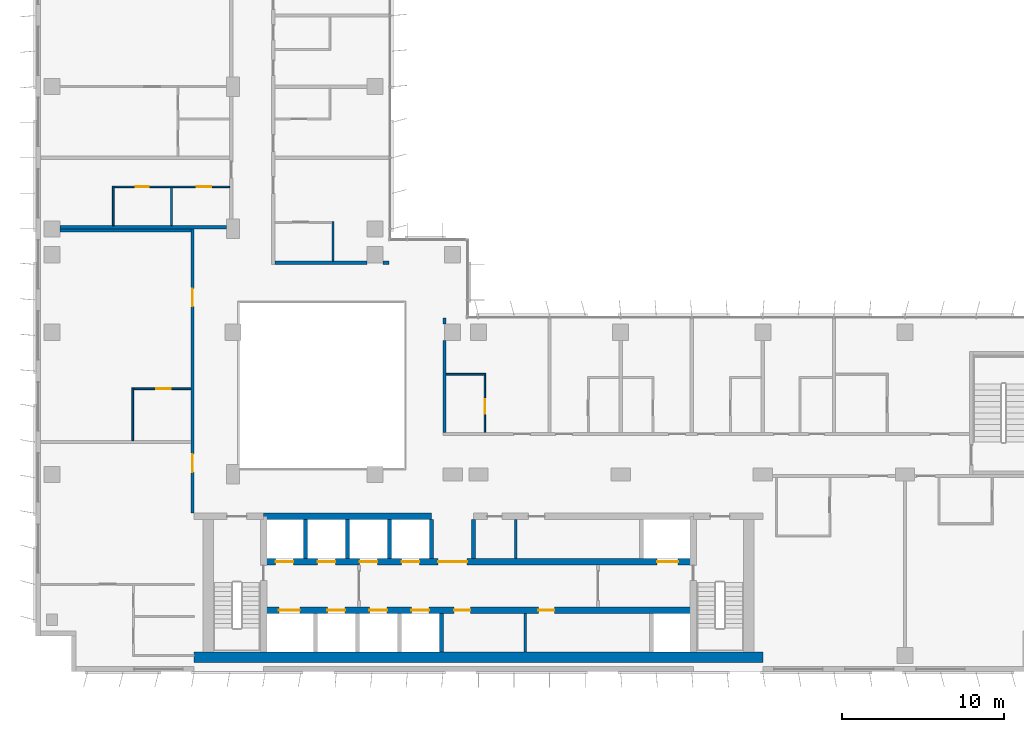
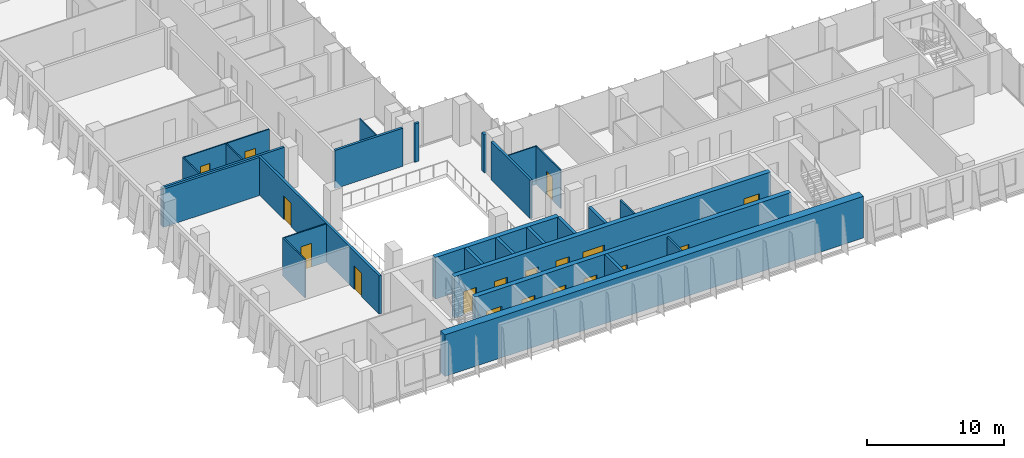
# One storey, part 13 of 21: 27 walls, 18 doors, 18 openings.
"""IFC4 building model written with IfcOpenShell, lengths in metres."""

import ifcopenshell
import ifcopenshell.guid

model = None  # the IFC model being written
_history = None  # IfcOwnerHistory: only IFC2X3 demands one
_inside = {}  # id of a spatial element -> (the spatial element, [elements in it])
_under = {}  # id of a project, library or spatial element -> (it, [spatial elements below it])
_declared = {}  # id of a project -> (the project, [libraries it declares])
_typed = {}  # id of a type object -> (the type object, [elements of that type])
_made_of = {}  # id of a material, layer set ... -> (it, [elements and type objects made of it])


def new_model(schema):
    """Start an empty IFC model of exactly this schema.

    Asked for "IFC4X3", IfcOpenShell would pick the latest addendum, in which some entities
    have other attributes; the version numbers below select the first issue.
    IFC2X3 requires an IfcOwnerHistory on every rooted entity: one is made here for all.
    """
    global model, _history
    if schema == "IFC4X3":
        model = ifcopenshell.file(schema_version=(4, 3, 0, 0))
    else:
        model = ifcopenshell.file(schema=schema)
    _inside.clear()
    _under.clear()
    _declared.clear()
    _typed.clear()
    _made_of.clear()
    _history = None
    if model.schema == "IFC2X3":
        org = make("IfcOrganization", Name="unknown")
        user = make(
            "IfcPersonAndOrganization",
            ThePerson=make("IfcPerson", FamilyName="unknown"),
            TheOrganization=org,
        )
        app = make(
            "IfcApplication",
            ApplicationDeveloper=org,
            Version="unknown",
            ApplicationFullName="unknown",
            ApplicationIdentifier="unknown",
        )
        _history = make(
            "IfcOwnerHistory",
            OwningUser=user,
            OwningApplication=app,
            ChangeAction="ADDED",
            CreationDate=0,
        )
    return model


def make(cls, **values):
    """One entity of the class cls with the attributes given. An attribute that is None is left unset."""
    return model.create_entity(
        cls, **{name: value for name, value in values.items() if value is not None}
    )


def rooted(cls, **values):
    """An entity with a GlobalId (a new one), such as an element, a storey or a relation."""
    return make(cls, GlobalId=ifcopenshell.guid.new(), OwnerHistory=_history, **values)


def si_unit(unit_type, name, prefix=None):
    """IfcSIUnit, for example si_unit("LENGTHUNIT", "METRE", prefix="MILLI")."""
    return make("IfcSIUnit", UnitType=unit_type, Prefix=prefix, Name=name)


def assignment(units):
    """IfcUnitAssignment: the units of a project."""
    return None if units is None else make("IfcUnitAssignment", Units=units)


def point(xyz):
    """IfcCartesianPoint."""
    return None if xyz is None else make("IfcCartesianPoint", Coordinates=xyz)


def direction(xyz):
    """IfcDirection."""
    return None if xyz is None else make("IfcDirection", DirectionRatios=xyz)


def frame(location, z_axis=None, x_axis=None):
    """IfcAxis2Placement3D, a coordinate frame: its origin and axes. An axis left out is left unset."""
    return make(
        "IfcAxis2Placement3D",
        Location=point(location),
        Axis=direction(z_axis),
        RefDirection=direction(x_axis),
    )


def frame_2d(location, x_axis=None):
    """IfcAxis2Placement2D, a coordinate frame in the plane: its origin and x axis."""
    return make(
        "IfcAxis2Placement2D", Location=point(location), RefDirection=direction(x_axis)
    )


def origin():
    """The frame at (0, 0, 0) with its axes left unset."""
    return frame((0.0, 0.0, 0.0))


def place(relative_to, where):
    """IfcLocalPlacement: puts the frame where relative to a parent placement (None: the world)."""
    return make(
        "IfcLocalPlacement", PlacementRelTo=relative_to, RelativePlacement=where
    )


def context(
    kind, dimensions, precision=None, world=None, true_north=None, identifier=None
):
    """IfcGeometricRepresentationContext, for example the 3D "Model" context."""
    return make(
        "IfcGeometricRepresentationContext",
        ContextIdentifier=identifier,
        ContextType=kind,
        CoordinateSpaceDimension=dimensions,
        Precision=precision,
        WorldCoordinateSystem=world,
        TrueNorth=true_north,
    )


def subcontext(parent, identifier, kind, view, scale=None):
    """IfcGeometricRepresentationSubContext, for example "Body" below "Model"."""
    return make(
        "IfcGeometricRepresentationSubContext",
        ContextIdentifier=identifier,
        ContextType=kind,
        ParentContext=parent,
        TargetScale=scale,
        TargetView=view,
    )


def project(units=None, contexts=None):
    """IfcProject with its units and contexts."""
    return rooted(
        "IfcProject",
        Name="project",
        RepresentationContexts=contexts,
        UnitsInContext=assignment(units),
    )


def spatial(cls, under=None, at=None, **own):
    """A site, building, storey or space (cls), placed at a placement, below another one or the project."""
    s = rooted(cls, ObjectPlacement=at, **own)
    if under is not None:
        _under.setdefault(under.id(), (under, []))[1].append(s)
    return s


def profile(cls, at=None, kind="AREA", **sizes):
    """A parametric profile (cls). Its sizes go by their IFC names, for example OverallWidth=200.0."""
    return make(cls, ProfileType=kind, Position=at, **sizes)


def rectangle(**sizes):
    """IfcRectangleProfileDef."""
    return profile("IfcRectangleProfileDef", **sizes)


def extrude(swept, where, along, depth):
    """IfcExtrudedAreaSolid: the profile swept, set in the frame where, extruded along a direction by depth."""
    return make(
        "IfcExtrudedAreaSolid",
        SweptArea=swept,
        Position=where,
        ExtrudedDirection=direction(along),
        Depth=depth,
    )


def shape(context_of_items, identifier, shape_type, items):
    """IfcShapeRepresentation: the items that make up one representation, for example the "Body"."""
    return make(
        "IfcShapeRepresentation",
        ContextOfItems=context_of_items,
        RepresentationIdentifier=identifier,
        RepresentationType=shape_type,
        Items=items,
    )


def material(Name=None, Category=None):
    """IfcMaterial."""
    return make("IfcMaterial", Name=Name, Category=Category)


def layer(
    of_material, thickness, ventilated=None, Name=None, Category=None, Priority=None
):
    """IfcMaterialLayer: one layer of a wall or slab, of a material (None: an air gap)."""
    return make(
        "IfcMaterialLayer",
        Material=of_material,
        LayerThickness=thickness,
        IsVentilated=ventilated,
        Name=Name,
        Category=Category,
        Priority=Priority,
    )


def layer_set(layers, Name=None):
    """IfcMaterialLayerSet."""
    return make("IfcMaterialLayerSet", MaterialLayers=layers, LayerSetName=Name)


def made_of(thing, what):
    """Note that an element or type object is made of a material, layer set ...; save() writes the relation."""
    if what is not None:
        _made_of.setdefault(what.id(), (what, []))[1].append(thing)
    return thing


def type_object(cls, material=None, **own):
    """A type object (cls), such as IfcWallType, which elements share."""
    return made_of(rooted(cls, **own), material)


def element(
    cls,
    number,
    at=None,
    inside=None,
    cuts=None,
    type_object=None,
    material=None,
    context=None,
    identifier="Body",
    shape_type=None,
    held_by="IfcProductDefinitionShape",
    body=None,
    shapes=None,
    **own,
):
    """One element of the class cls, such as IfcWall. Its Tag is "e" and its number.

    at: its placement. inside: the storey or other place that contains it. cuts: it is an
    opening in that element (IfcRelVoidsElement). A single representation is given by context,
    identifier, shape_type and body (its items); several are given by shapes. held_by: the class
    of the entity that holds the representations. save() writes the other relations.
    """
    e = rooted(cls, Tag="e%d" % number, ObjectPlacement=at, **own)
    if body is not None:
        shapes = [shape(context, identifier, shape_type, body)]
    if shapes is not None:
        e.Representation = make(held_by, Representations=shapes)
    if inside is not None:
        _inside.setdefault(inside.id(), (inside, []))[1].append(e)
    if cuts is not None:
        rooted(
            "IfcRelVoidsElement", RelatingBuildingElement=cuts, RelatedOpeningElement=e
        )
    if type_object is not None:
        _typed.setdefault(type_object.id(), (type_object, []))[1].append(e)
    return made_of(e, material)


def fill(opening, filler):
    """IfcRelFillsElement: the door or window that sits in an opening."""
    return rooted(
        "IfcRelFillsElement",
        RelatingOpeningElement=opening,
        RelatedBuildingElement=filler,
    )


def aggregate(whole, parts):
    """IfcRelAggregates: a whole, such as a stair, and the parts it consists of."""
    return rooted("IfcRelAggregates", RelatingObject=whole, RelatedObjects=parts)


def save(model, path):
    """Write the relations noted so far, then the file.

    IfcRelAggregates (storeys below a building ...), IfcRelContainedInSpatialStructure (elements
    in a storey), IfcRelDefinesByType, IfcRelAssociatesMaterial and IfcRelDeclares: one each for
    every whole, place, type object, material and project.
    """
    for whole, parts in _under.values():
        aggregate(whole, parts)
    for where, things in _inside.values():
        rooted(
            "IfcRelContainedInSpatialStructure",
            RelatedElements=things,
            RelatingStructure=where,
        )
    for kind, things in _typed.values():
        rooted("IfcRelDefinesByType", RelatedObjects=things, RelatingType=kind)
    for what, things in _made_of.values():
        rooted("IfcRelAssociatesMaterial", RelatedObjects=things, RelatingMaterial=what)
    for by, libraries in _declared.values():
        rooted("IfcRelDeclares", RelatingContext=by, RelatedDefinitions=libraries)
    model.write(path)


model = new_model("IFC4")

# Units and contexts
model_context = context("Model", 3, precision=1e-05, world=origin(), true_north=direction((0.0, 1.0)))
body_context = subcontext(model_context, "Body", "Model", "MODEL_VIEW")
ifc_project = project(units=[si_unit("LENGTHUNIT", "METRE"), si_unit("AREAUNIT", "SQUARE_METRE"), si_unit("VOLUMEUNIT", "CUBIC_METRE"), si_unit("PLANEANGLEUNIT", "RADIAN"), si_unit("MASSUNIT", "GRAM", prefix="KILO")], contexts=[model_context])

# Site, building, storey
site_placement = place(None, origin())
site = spatial("IfcSite", under=ifc_project, at=site_placement, CompositionType="ELEMENT")
building_placement = place(site_placement, origin())
building = spatial("IfcBuilding", under=site, at=building_placement, Name="Kemantara Hotel Tower", CompositionType="ELEMENT")
storey_placement = place(building_placement, frame((0.0, 0.0, 167.89990234375)))
storey = spatial("IfcBuildingStorey", under=building, at=storey_placement, Name="L41", CompositionType="ELEMENT", Elevation=167.89990234375)

# Walls
ifc_material_1 = material(Name="Concrete fc 60 MPa", Category="concrete")
ifc_layer_1 = layer(ifc_material_1, 0.25)
ifc_layer_set_1 = layer_set([ifc_layer_1], Name="Concrete fc 60 MPa")
wall_type_1 = type_object("IfcWallType", Name="CORE WALL 250 FC60", PredefinedType="SHEAR", material=ifc_layer_set_1)
wall_1_placement = place(storey_placement, frame((25.10009765625, 1.199951171875, 0.0), z_axis=(0.0, 0.0, 1.0), x_axis=(0.0, 1.0, 0.0)))
element("IfcWall", 1, at=wall_1_placement, inside=storey, type_object=wall_type_1, Name="CORE WALL CW-DS25.1", PredefinedType="SHEAR", context=body_context, shape_type="SweptSolid", body=[
    extrude(rectangle(XDim=2.400146484375, YDim=0.25, at=frame_2d((1.2001953125, 0.0))), origin(), (0.0, 0.0, 1.0), 3.7001953125),
])
for number, where, z_axis, x_axis, name in (
    (2, (16.699951171875, 7.0, 0.0), (0.0, 0.0, 1.0), (0.0, 1.0, 0.0), "CORE WALL CW-DN16.7"),
    (3, (19.300048828125, 7.0, 0.0), (0.0, 0.0, 1.0), (0.0, 1.0, 0.0), "CORE WALL CW-DN19.3"),
    (4, (21.89990234375, 7.0, 0.0), (0.0, 0.0, 1.0), (0.0, 1.0, 0.0), "CORE WALL CW-DN21.9"),
    (5, (24.5, 7.0, 0.0), (0.0, 0.0, 1.0), (0.0, 1.0, 0.0), "CORE WALL CW-DN24.5"),
    (6, (27.10009765625, 7.0, 0.0), (0.0, 0.0, 1.0), (0.0, 1.0, 0.0), "CORE WALL CW-DN27.1"),
):
    element("IfcWall", number, at=place(storey_placement, frame(where, z_axis=z_axis, x_axis=x_axis)), inside=storey, type_object=wall_type_1, Name=name, PredefinedType="SHEAR", context=body_context, shape_type="SweptSolid", body=[
        extrude(rectangle(XDim=2.39990234375, YDim=0.25, at=frame_2d((1.199951171875, 0.0))), origin(), (0.0, 0.0, 1.0), 3.7001953125),
    ])
ifc_layer_2 = layer(ifc_material_1, 0.39990234375)
ifc_layer_set_2 = layer_set([ifc_layer_2], Name="Concrete fc 60 MPa")
wall_type_2 = type_object("IfcWallType", Name="CORE WALL 400 FC60", PredefinedType="SHEAR", material=ifc_layer_set_2)
wall_2_placement = place(storey_placement, frame((14.10009765625, 9.60009765625, 0.0), z_axis=(0.0, 0.0, 1.0), x_axis=(1.0, 0.0, 0.0)))
element("IfcWall", 7, at=wall_2_placement, inside=storey, type_object=wall_type_2, Name="CORE WALL CW-NN1", PredefinedType="SHEAR", context=body_context, shape_type="SweptSolid", body=[
    extrude(rectangle(XDim=10.39990234375, YDim=0.39990234375, at=frame_2d((5.199951171875, 0.0))), origin(), (0.0, 0.0, 1.0), 3.7001953125),
])

# Wall, openings, doors
wall_3_placement = place(storey_placement, frame((14.10009765625, 3.800048828125, 0.0), z_axis=(0.0, 0.0, 1.0), x_axis=(1.0, 0.0, 0.0)))
wall_3 = element("IfcWall", 8, at=wall_3_placement, inside=storey, type_object=wall_type_2, Name="CORE WALL CW-L1", PredefinedType="SHEAR", context=body_context, shape_type="SweptSolid", body=[
    extrude(rectangle(XDim=26.599853515625, YDim=0.39990234375, at=frame_2d((13.2998046875, 0.0))), origin(), (0.0, 0.0, 1.0), 3.7001953125),
])
opening_1_placement = place(wall_3_placement, frame((0.949951171875, 0.0, 0.0)))
opening_1 = element("IfcOpeningElement", 9, at=opening_1_placement, cuts=wall_3, Name="Opening C26-LD-FF1", PredefinedType="OPENING", context=body_context, shape_type="SweptSolid", body=[
    extrude(rectangle(XDim=1.300048828125, YDim=2.10009765625, at=frame_2d((0.64990234375, 1.050048828125))), frame((0.0, 0.2099609375, 0.0), z_axis=(0.0, -1.0, 0.0), x_axis=(1.0, 0.0, 0.0)), (0.0, 0.0, 1.0), 0.419921875),
])
opening_2_placement = place(wall_3_placement, frame((3.949951171875, 0.0, 0.0)))
opening_2 = element("IfcOpeningElement", 10, at=opening_2_placement, cuts=wall_3, Name="Opening C26-LD-SV1", PredefinedType="OPENING", context=body_context, shape_type="SweptSolid", body=[
    extrude(rectangle(XDim=1.10009765625, YDim=2.10009765625, at=frame_2d((0.550048828125, 1.050048828125))), frame((0.0, 0.2099609375, 0.0), z_axis=(0.0, -1.0, 0.0), x_axis=(1.0, 0.0, 0.0)), (0.0, 0.0, 1.0), 0.419921875),
])
opening_3_placement = place(wall_3_placement, frame((6.550048828125, 0.0, 0.0)))
opening_3 = element("IfcOpeningElement", 11, at=opening_3_placement, cuts=wall_3, Name="Opening C26-LD-SV2", PredefinedType="OPENING", context=body_context, shape_type="SweptSolid", body=[
    extrude(rectangle(XDim=1.10009765625, YDim=2.10009765625, at=frame_2d((0.550048828125, 1.050048828125))), frame((0.0, 0.2099609375, 0.0), z_axis=(0.0, -1.0, 0.0), x_axis=(1.0, 0.0, 0.0)), (0.0, 0.0, 1.0), 0.419921875),
])
opening_4_placement = place(wall_3_placement, frame((9.14990234375, 0.0, 0.0)))
opening_4 = element("IfcOpeningElement", 12, at=opening_4_placement, cuts=wall_3, Name="Opening C26-LD-SV3", PredefinedType="OPENING", context=body_context, shape_type="SweptSolid", body=[
    extrude(rectangle(XDim=1.10009765625, YDim=2.10009765625, at=frame_2d((0.550048828125, 1.050048828125))), frame((0.0, 0.2099609375, 0.0), z_axis=(0.0, -1.0, 0.0), x_axis=(1.0, 0.0, 0.0)), (0.0, 0.0, 1.0), 0.419921875),
])
opening_5_placement = place(wall_3_placement, frame((11.800048828125, 0.0, 0.0)))
opening_5 = element("IfcOpeningElement", 13, at=opening_5_placement, cuts=wall_3, Name="Opening C26-R-SM1", PredefinedType="OPENING", context=body_context, shape_type="SweptSolid", body=[
    extrude(rectangle(XDim=1.0, YDim=2.10009765625, at=frame_2d((0.5, 1.050048828125))), frame((0.0, 0.2099609375, 0.0), z_axis=(0.0, -1.0, 0.0), x_axis=(1.0, 0.0, 0.0)), (0.0, 0.0, 1.0), 0.419921875),
])
opening_6_placement = place(wall_3_placement, frame((17.0, 0.0, 0.0)))
opening_6 = element("IfcOpeningElement", 14, at=opening_6_placement, cuts=wall_3, Name="Opening C26-R-SM2", PredefinedType="OPENING", context=body_context, shape_type="SweptSolid", body=[
    extrude(rectangle(XDim=1.0, YDim=2.10009765625, at=frame_2d((0.5, 1.050048828125))), frame((0.0, 0.2099609375, 0.0), z_axis=(0.0, -1.0, 0.0), x_axis=(1.0, 0.0, 0.0)), (0.0, 0.0, 1.0), 0.419921875),
])
ifc_material_2 = material(Name="Steel fire door", Category="steel")
door_type_1 = type_object("IfcDoorType", Name="Fire door FD30S 1000 x 2100", OperationType="NOTDEFINED", PredefinedType="DOOR", material=ifc_material_2)
door_1_placement = place(opening_5_placement, frame((1.0, 0.0, 0.0), z_axis=(0.0, 0.0, 1.0), x_axis=(-1.0, 0.0, 0.0)))
door_1 = element("IfcDoor", 15, at=door_1_placement, inside=storey, type_object=door_type_1, Name="Staff Lounge door", OperationType="SINGLE_SWING_RIGHT", OverallHeight=2.10009765625, OverallWidth=1.0, PredefinedType="DOOR", context=body_context, shape_type="SweptSolid", body=[
    extrude(rectangle(XDim=1.0, YDim=2.10009765625, at=frame_2d((0.5, 1.050048828125))), frame((0.0, 0.02490234375, 0.0), z_axis=(0.0, -1.0, 0.0), x_axis=(1.0, 0.0, 0.0)), (0.0, 0.0, 1.0), 0.050048828125),
])
fill(opening_5, door_1)
door_2_placement = place(opening_6_placement, frame((1.0, 0.0, 0.0), z_axis=(0.0, 0.0, 1.0), x_axis=(-1.0, 0.0, 0.0)))
door_2 = element("IfcDoor", 16, at=door_2_placement, inside=storey, type_object=door_type_1, Name="Guest Pantry door", OperationType="SINGLE_SWING_LEFT", OverallHeight=2.10009765625, OverallWidth=1.0, PredefinedType="DOOR", context=body_context, shape_type="SweptSolid", body=[
    extrude(rectangle(XDim=1.0, YDim=2.10009765625, at=frame_2d((0.5, 1.050048828125))), frame((0.0, 0.02490234375, 0.0), z_axis=(0.0, -1.0, 0.0), x_axis=(1.0, 0.0, 0.0)), (0.0, 0.0, 1.0), 0.050048828125),
])
fill(opening_6, door_2)
ifc_material_3 = material(Name="Stainless steel lift door", Category="steel")
door_type_2 = type_object("IfcDoorType", Name="Lift landing door 1100 x 2100 FD60", OperationType="DOUBLE_DOOR_SLIDING", PredefinedType="DOOR", material=ifc_material_3)
door_3_placement = place(opening_2_placement, origin())
door_3 = element("IfcDoor", 17, at=door_3_placement, inside=storey, type_object=door_type_2, Name="Lift SV1 landing door", OperationType="DOUBLE_DOOR_SLIDING", OverallHeight=2.10009765625, OverallWidth=1.10009765625, PredefinedType="DOOR", context=body_context, shape_type="SweptSolid", body=[
    extrude(rectangle(XDim=1.10009765625, YDim=2.10009765625, at=frame_2d((0.550048828125, 1.050048828125))), frame((0.0, 0.02490234375, 0.0), z_axis=(0.0, -1.0, 0.0), x_axis=(1.0, 0.0, 0.0)), (0.0, 0.0, 1.0), 0.050048828125),
])
fill(opening_2, door_3)
door_4_placement = place(opening_3_placement, origin())
door_4 = element("IfcDoor", 18, at=door_4_placement, inside=storey, type_object=door_type_2, Name="Lift SV2 landing door", OperationType="DOUBLE_DOOR_SLIDING", OverallHeight=2.10009765625, OverallWidth=1.10009765625, PredefinedType="DOOR", context=body_context, shape_type="SweptSolid", body=[
    extrude(rectangle(XDim=1.10009765625, YDim=2.10009765625, at=frame_2d((0.550048828125, 1.050048828125))), frame((0.0, 0.02490234375, 0.0), z_axis=(0.0, -1.0, 0.0), x_axis=(1.0, 0.0, 0.0)), (0.0, 0.0, 1.0), 0.050048828125),
])
fill(opening_3, door_4)
door_5_placement = place(opening_4_placement, origin())
door_5 = element("IfcDoor", 19, at=door_5_placement, inside=storey, type_object=door_type_2, Name="Lift SV3 landing door", OperationType="DOUBLE_DOOR_SLIDING", OverallHeight=2.10009765625, OverallWidth=1.10009765625, PredefinedType="DOOR", context=body_context, shape_type="SweptSolid", body=[
    extrude(rectangle(XDim=1.10009765625, YDim=2.10009765625, at=frame_2d((0.550048828125, 1.050048828125))), frame((0.0, 0.02490234375, 0.0), z_axis=(0.0, -1.0, 0.0), x_axis=(1.0, 0.0, 0.0)), (0.0, 0.0, 1.0), 0.050048828125),
])
fill(opening_4, door_5)
door_type_3 = type_object("IfcDoorType", Name="Lift landing door 1300 x 2100 FD90", OperationType="DOUBLE_DOOR_SLIDING", PredefinedType="DOOR", material=ifc_material_3)
door_6_placement = place(opening_1_placement, origin())
door_6 = element("IfcDoor", 20, at=door_6_placement, inside=storey, type_object=door_type_3, Name="Lift FF1 landing door", OperationType="DOUBLE_DOOR_SLIDING", OverallHeight=2.10009765625, OverallWidth=1.300048828125, PredefinedType="DOOR", context=body_context, shape_type="SweptSolid", body=[
    extrude(rectangle(XDim=1.300048828125, YDim=2.10009765625, at=frame_2d((0.64990234375, 1.050048828125))), frame((0.0, 0.02490234375, 0.0), z_axis=(0.0, -1.0, 0.0), x_axis=(1.0, 0.0, 0.0)), (0.0, 0.0, 1.0), 0.050048828125),
])
fill(opening_1, door_6)

wall_4_placement = place(storey_placement, frame((14.10009765625, 6.800048828125, 0.0), z_axis=(0.0, 0.0, 1.0), x_axis=(1.0, 0.0, 0.0)))
wall_4 = element("IfcWall", 21, at=wall_4_placement, inside=storey, type_object=wall_type_2, Name="CORE WALL CW-L2", PredefinedType="SHEAR", context=body_context, shape_type="SweptSolid", body=[
    extrude(rectangle(XDim=26.599853515625, YDim=0.39990234375, at=frame_2d((13.2998046875, 0.0))), origin(), (0.0, 0.0, 1.0), 3.7001953125),
])
opening_7_placement = place(wall_4_placement, frame((10.800048828125, 0.0, 0.0)))
opening_7 = element("IfcOpeningElement", 22, at=opening_7_placement, cuts=wall_4, Name="Opening C26-VL", PredefinedType="OPENING", context=body_context, shape_type="SweptSolid", body=[
    extrude(rectangle(XDim=1.800048828125, YDim=2.10009765625, at=frame_2d((0.89990234375, 1.050048828125))), frame((0.0, 0.2099609375, 0.0), z_axis=(0.0, -1.0, 0.0), x_axis=(1.0, 0.0, 0.0)), (0.0, 0.0, 1.0), 0.419921875),
])
opening_8_placement = place(wall_4_placement, frame((0.75, 0.0, 0.0)))
opening_8 = element("IfcOpeningElement", 23, at=opening_8_placement, cuts=wall_4, Name="Opening C26-LD-MR1", PredefinedType="OPENING", context=body_context, shape_type="SweptSolid", body=[
    extrude(rectangle(XDim=1.10009765625, YDim=2.10009765625, at=frame_2d((0.550048828125, 1.050048828125))), frame((0.0, 0.2099609375, 0.0), z_axis=(0.0, -1.0, 0.0), x_axis=(1.0, 0.0, 0.0)), (0.0, 0.0, 1.0), 0.419921875),
])
opening_9_placement = place(wall_4_placement, frame((3.35009765625, 0.0, 0.0)))
opening_9 = element("IfcOpeningElement", 24, at=opening_9_placement, cuts=wall_4, Name="Opening C26-LD-MR2", PredefinedType="OPENING", context=body_context, shape_type="SweptSolid", body=[
    extrude(rectangle(XDim=1.10009765625, YDim=2.10009765625, at=frame_2d((0.550048828125, 1.050048828125))), frame((0.0, 0.2099609375, 0.0), z_axis=(0.0, -1.0, 0.0), x_axis=(1.0, 0.0, 0.0)), (0.0, 0.0, 1.0), 0.419921875),
])
opening_10_placement = place(wall_4_placement, frame((5.949951171875, 0.0, 0.0)))
opening_10 = element("IfcOpeningElement", 25, at=opening_10_placement, cuts=wall_4, Name="Opening C26-LD-MR3", PredefinedType="OPENING", context=body_context, shape_type="SweptSolid", body=[
    extrude(rectangle(XDim=1.10009765625, YDim=2.10009765625, at=frame_2d((0.550048828125, 1.050048828125))), frame((0.0, 0.2099609375, 0.0), z_axis=(0.0, -1.0, 0.0), x_axis=(1.0, 0.0, 0.0)), (0.0, 0.0, 1.0), 0.419921875),
])
opening_11_placement = place(wall_4_placement, frame((8.550048828125, 0.0, 0.0)))
opening_11 = element("IfcOpeningElement", 26, at=opening_11_placement, cuts=wall_4, Name="Opening C26-LD-MR4", PredefinedType="OPENING", context=body_context, shape_type="SweptSolid", body=[
    extrude(rectangle(XDim=1.10009765625, YDim=2.10009765625, at=frame_2d((0.550048828125, 1.050048828125))), frame((0.0, 0.2099609375, 0.0), z_axis=(0.0, -1.0, 0.0), x_axis=(1.0, 0.0, 0.0)), (0.0, 0.0, 1.0), 0.419921875),
])
opening_12_placement = place(wall_4_placement, frame((24.35009765625, 0.0, 0.0)))
opening_12 = element("IfcOpeningElement", 27, at=opening_12_placement, cuts=wall_4, Name="Opening C26-LD-FF2", PredefinedType="OPENING", context=body_context, shape_type="SweptSolid", body=[
    extrude(rectangle(XDim=1.300048828125, YDim=2.10009765625, at=frame_2d((0.64990234375, 1.050048828125))), frame((0.0, 0.2099609375, 0.0), z_axis=(0.0, -1.0, 0.0), x_axis=(1.0, 0.0, 0.0)), (0.0, 0.0, 1.0), 0.419921875),
])
door_type_4 = type_object("IfcDoorType", Name="Fire door pair FD60 1800 x 2100", OperationType="DOUBLE_DOOR_SINGLE_SWING", PredefinedType="DOOR", material=ifc_material_2)
door_7_placement = place(opening_7_placement, frame((1.800048828125, 0.0, 0.0), z_axis=(0.0, 0.0, 1.0), x_axis=(-1.0, 0.0, 0.0)))
door_7 = element("IfcDoor", 28, at=door_7_placement, inside=storey, type_object=door_type_4, Name="Lift lobby entry door", OperationType="DOUBLE_DOOR_SINGLE_SWING", OverallHeight=2.10009765625, OverallWidth=1.800048828125, PredefinedType="DOOR", context=body_context, shape_type="SweptSolid", body=[
    extrude(rectangle(XDim=1.800048828125, YDim=2.10009765625, at=frame_2d((0.89990234375, 1.050048828125))), frame((0.0, 0.02490234375, 0.0), z_axis=(0.0, -1.0, 0.0), x_axis=(1.0, 0.0, 0.0)), (0.0, 0.0, 1.0), 0.050048828125),
])
fill(opening_7, door_7)
door_8_placement = place(opening_8_placement, origin())
door_8 = element("IfcDoor", 29, at=door_8_placement, inside=storey, type_object=door_type_2, Name="Lift MR1 landing door", OperationType="DOUBLE_DOOR_SLIDING", OverallHeight=2.10009765625, OverallWidth=1.10009765625, PredefinedType="DOOR", context=body_context, shape_type="SweptSolid", body=[
    extrude(rectangle(XDim=1.10009765625, YDim=2.10009765625, at=frame_2d((0.550048828125, 1.050048828125))), frame((0.0, 0.02490234375, 0.0), z_axis=(0.0, -1.0, 0.0), x_axis=(1.0, 0.0, 0.0)), (0.0, 0.0, 1.0), 0.050048828125),
])
fill(opening_8, door_8)
door_9_placement = place(opening_9_placement, origin())
door_9 = element("IfcDoor", 30, at=door_9_placement, inside=storey, type_object=door_type_2, Name="Lift MR2 landing door", OperationType="DOUBLE_DOOR_SLIDING", OverallHeight=2.10009765625, OverallWidth=1.10009765625, PredefinedType="DOOR", context=body_context, shape_type="SweptSolid", body=[
    extrude(rectangle(XDim=1.10009765625, YDim=2.10009765625, at=frame_2d((0.550048828125, 1.050048828125))), frame((0.0, 0.02490234375, 0.0), z_axis=(0.0, -1.0, 0.0), x_axis=(1.0, 0.0, 0.0)), (0.0, 0.0, 1.0), 0.050048828125),
])
fill(opening_9, door_9)
door_10_placement = place(opening_10_placement, origin())
door_10 = element("IfcDoor", 31, at=door_10_placement, inside=storey, type_object=door_type_2, Name="Lift MR3 landing door", OperationType="DOUBLE_DOOR_SLIDING", OverallHeight=2.10009765625, OverallWidth=1.10009765625, PredefinedType="DOOR", context=body_context, shape_type="SweptSolid", body=[
    extrude(rectangle(XDim=1.10009765625, YDim=2.10009765625, at=frame_2d((0.550048828125, 1.050048828125))), frame((0.0, 0.02490234375, 0.0), z_axis=(0.0, -1.0, 0.0), x_axis=(1.0, 0.0, 0.0)), (0.0, 0.0, 1.0), 0.050048828125),
])
fill(opening_10, door_10)
door_11_placement = place(opening_11_placement, origin())
door_11 = element("IfcDoor", 32, at=door_11_placement, inside=storey, type_object=door_type_2, Name="Lift MR4 landing door", OperationType="DOUBLE_DOOR_SLIDING", OverallHeight=2.10009765625, OverallWidth=1.10009765625, PredefinedType="DOOR", context=body_context, shape_type="SweptSolid", body=[
    extrude(rectangle(XDim=1.10009765625, YDim=2.10009765625, at=frame_2d((0.550048828125, 1.050048828125))), frame((0.0, 0.02490234375, 0.0), z_axis=(0.0, -1.0, 0.0), x_axis=(1.0, 0.0, 0.0)), (0.0, 0.0, 1.0), 0.050048828125),
])
fill(opening_11, door_11)
door_12_placement = place(opening_12_placement, origin())
door_12 = element("IfcDoor", 33, at=door_12_placement, inside=storey, type_object=door_type_3, Name="Lift FF2 landing door", OperationType="DOUBLE_DOOR_SLIDING", OverallHeight=2.10009765625, OverallWidth=1.300048828125, PredefinedType="DOOR", context=body_context, shape_type="SweptSolid", body=[
    extrude(rectangle(XDim=1.300048828125, YDim=2.10009765625, at=frame_2d((0.64990234375, 1.050048828125))), frame((0.0, 0.02490234375, 0.0), z_axis=(0.0, -1.0, 0.0), x_axis=(1.0, 0.0, 0.0)), (0.0, 0.0, 1.0), 0.050048828125),
])
fill(opening_12, door_12)

# Wall
ifc_layer_3 = layer(ifc_material_1, 0.64990234375)
ifc_layer_set_3 = layer_set([ifc_layer_3], Name="Concrete fc 60 MPa")
wall_type_3 = type_object("IfcWallType", Name="CORE WALL 650 FC60", PredefinedType="SHEAR", material=ifc_layer_set_3)
wall_5_placement = place(storey_placement, frame((9.800048828125, 0.875, 0.0), z_axis=(0.0, 0.0, 1.0), x_axis=(1.0, 0.0, 0.0)))
element("IfcWall", 34, at=wall_5_placement, inside=storey, type_object=wall_type_3, Name="CORE WALL CW-S", PredefinedType="SHEAR", context=body_context, shape_type="SweptSolid", body=[
    extrude(rectangle(XDim=35.199951171875, YDim=0.64990234375, at=frame_2d((17.60009765625, 0.0))), origin(), (0.0, 0.0, 1.0), 3.7001953125),
])

# Wall, openings, doors
ifc_material_4 = material(Name="Gypsum board partition, steel studs and mineral wool, 200 mm", Category="steel")
ifc_layer_4 = layer(ifc_material_4, 0.199951171875)
ifc_layer_set_4 = layer_set([ifc_layer_4], Name="Gypsum board partition, steel studs and mineral wool, 200 mm")
wall_type_4 = type_object("IfcWallType", Name="CORRIDOR WALL 200", PredefinedType="PARTITIONING", material=ifc_layer_set_4)
wall_6_placement = place(storey_placement, frame((9.699951171875, 9.800048828125, 0.0), z_axis=(0.0, 0.0, 1.0), x_axis=(0.0, 1.0, 0.0)))
wall_6 = element("IfcWall", 35, at=wall_6_placement, inside=storey, type_object=wall_type_4, Name="CORRIDOR WALL 200 013", PredefinedType="PARTITIONING", context=body_context, shape_type="SweptSolid", body=[
    extrude(rectangle(XDim=17.599853515625, YDim=0.199951171875, at=frame_2d((8.7998046875, 0.0))), origin(), (0.0, 0.0, 1.0), 3.400146484375),
])
opening_13_placement = place(wall_6_placement, frame((2.550048828125, 0.0, 0.0)))
opening_13 = element("IfcOpeningElement", 36, at=opening_13_placement, cuts=wall_6, Name="Opening F19-017", PredefinedType="OPENING", context=body_context, shape_type="SweptSolid", body=[
    extrude(rectangle(XDim=1.10009765625, YDim=2.10009765625, at=frame_2d((0.550048828125, 1.050048828125))), frame((0.0, 0.10986328125, 0.0), z_axis=(0.0, -1.0, 0.0), x_axis=(1.0, 0.0, 0.0)), (0.0, 0.0, 1.0), 0.219970703125),
])
opening_14_placement = place(wall_6_placement, frame((12.800048828125, 0.0, 0.0)))
opening_14 = element("IfcOpeningElement", 37, at=opening_14_placement, cuts=wall_6, Name="Opening F19-021", PredefinedType="OPENING", context=body_context, shape_type="SweptSolid", body=[
    extrude(rectangle(XDim=1.10009765625, YDim=2.10009765625, at=frame_2d((0.550048828125, 1.050048828125))), frame((0.0, 0.10986328125, 0.0), z_axis=(0.0, -1.0, 0.0), x_axis=(1.0, 0.0, 0.0)), (0.0, 0.0, 1.0), 0.219970703125),
])
ifc_material_5 = material(Name="Hardwood veneer door leaf with steel frame", Category="steel")
door_type_5 = type_object("IfcDoorType", Name="SUITE ENTRANCE DOOR 1100 X 2100 FD30S", OperationType="NOTDEFINED", PredefinedType="DOOR", material=ifc_material_5)
door_13_placement = place(opening_13_placement, origin())
door_13 = element("IfcDoor", 38, at=door_13_placement, inside=storey, type_object=door_type_5, Name="SUITE ENTRANCE DOOR F19-017", OperationType="SINGLE_SWING_RIGHT", OverallHeight=2.10009765625, OverallWidth=1.10009765625, PredefinedType="DOOR", context=body_context, shape_type="SweptSolid", body=[
    extrude(rectangle(XDim=1.10009765625, YDim=2.10009765625, at=frame_2d((0.550048828125, 1.050048828125))), frame((0.0, 0.02490234375, 0.0), z_axis=(0.0, -1.0, 0.0), x_axis=(1.0, 0.0, 0.0)), (0.0, 0.0, 1.0), 0.050048828125),
])
fill(opening_13, door_13)
door_14_placement = place(opening_14_placement, origin())
door_14 = element("IfcDoor", 39, at=door_14_placement, inside=storey, type_object=door_type_5, Name="SUITE ENTRANCE DOOR F19-021", OperationType="SINGLE_SWING_RIGHT", OverallHeight=2.10009765625, OverallWidth=1.10009765625, PredefinedType="DOOR", context=body_context, shape_type="SweptSolid", body=[
    extrude(rectangle(XDim=1.10009765625, YDim=2.10009765625, at=frame_2d((0.550048828125, 1.050048828125))), frame((0.0, 0.02490234375, 0.0), z_axis=(0.0, -1.0, 0.0), x_axis=(1.0, 0.0, 0.0)), (0.0, 0.0, 1.0), 0.050048828125),
])
fill(opening_14, door_14)

# Walls
ifc_layer_5 = layer(ifc_material_4, 0.199951171875)
ifc_layer_set_5 = layer_set([ifc_layer_5], Name="Gypsum board partition, steel studs and mineral wool, 200 mm")
wall_type_5 = type_object("IfcWallType", Name="GUEST ROOM PARTY WALL 200", PredefinedType="PARTITIONING", material=ifc_layer_set_5)
wall_7_placement = place(storey_placement, frame((25.300048828125, 14.800048828125, 0.0), z_axis=(0.0, 0.0, 1.0), x_axis=(0.0, 1.0, 0.0)))
element("IfcWall", 40, at=wall_7_placement, inside=storey, type_object=wall_type_5, Name="GUEST ROOM PARTY WALL 200 006", PredefinedType="PARTITIONING", context=body_context, shape_type="SweptSolid", body=[
    extrude(rectangle(XDim=5.699951171875, YDim=0.199951171875, at=frame_2d((2.85009765625, 0.0))), origin(), (0.0, 0.0, 1.0), 3.400146484375),
])
wall_8_placement = place(storey_placement, frame((25.300048828125, 21.5, 0.0), z_axis=(0.0, 0.0, 1.0), x_axis=(0.0, 1.0, 0.0)))
element("IfcWall", 41, at=wall_8_placement, inside=storey, type_object=wall_type_5, Name="GUEST ROOM PARTY WALL 200 007", PredefinedType="PARTITIONING", context=body_context, shape_type="SweptSolid", body=[
    extrude(rectangle(XDim=0.3701171875, YDim=0.199951171875, at=frame_2d((0.18505859375, 0.0))), origin(), (0.0, 0.0, 1.0), 3.400146484375),
])
wall_9_placement = place(storey_placement, frame((1.5, 27.300048828125, 0.0), z_axis=(0.0, 0.0, 1.0), x_axis=(1.0, 0.0, 0.0)))
element("IfcWall", 42, at=wall_9_placement, inside=storey, type_object=wall_type_5, Name="GUEST ROOM PARTY WALL 200 015", PredefinedType="PARTITIONING", context=body_context, shape_type="SweptSolid", body=[
    extrude(rectangle(XDim=8.10009765625, YDim=0.199951171875, at=frame_2d((4.050048828125, 0.0))), origin(), (0.0, 0.0, 1.0), 3.400146484375),
])
wall_10_placement = place(storey_placement, frame((1.5, 27.5, 0.0), z_axis=(0.0, 0.0, 1.0), x_axis=(1.0, 0.0, 0.0)))
element("IfcWall", 43, at=wall_10_placement, inside=storey, type_object=wall_type_5, Name="GUEST ROOM PARTY WALL 200 020", PredefinedType="PARTITIONING", context=body_context, shape_type="SweptSolid", body=[
    extrude(rectangle(XDim=10.2998046875, YDim=0.199951171875, at=frame_2d((5.14990234375, 0.0))), origin(), (0.0, 0.0, 1.0), 3.400146484375),
])
wall_11_placement = place(storey_placement, frame((14.800048828125, 25.300048828125, 0.0), z_axis=(0.0, 0.0, 1.0), x_axis=(1.0, 0.0, 0.0)))
element("IfcWall", 44, at=wall_11_placement, inside=storey, type_object=wall_type_5, Name="GUEST ROOM PARTY WALL 200 026", PredefinedType="PARTITIONING", context=body_context, shape_type="SweptSolid", body=[
    extrude(rectangle(XDim=5.699951171875, YDim=0.199951171875, at=frame_2d((2.85009765625, 0.0))), origin(), (0.0, 0.0, 1.0), 3.400146484375),
])
wall_12_placement = place(storey_placement, frame((21.5, 25.300048828125, 0.0), z_axis=(0.0, 0.0, 1.0), x_axis=(1.0, 0.0, 0.0)))
element("IfcWall", 45, at=wall_12_placement, inside=storey, type_object=wall_type_5, Name="GUEST ROOM PARTY WALL 200 027", PredefinedType="PARTITIONING", context=body_context, shape_type="SweptSolid", body=[
    extrude(rectangle(XDim=0.3701171875, YDim=0.199951171875, at=frame_2d((0.18505859375, 0.0))), origin(), (0.0, 0.0, 1.0), 3.400146484375),
])
ifc_material_6 = material(Name="Gypsum board partition")
ifc_layer_6 = layer(ifc_material_6, 0.14990234375)
ifc_layer_set_6 = layer_set([ifc_layer_6], Name="Gypsum board partition")
wall_type_6 = type_object("IfcWallType", Name="Gypsum board partition 150 mm", PredefinedType="PARTITIONING", material=ifc_layer_set_6)
wall_13_placement = place(storey_placement, frame((29.699951171875, 7.0, 0.0), z_axis=(0.0, 0.0, 1.0), x_axis=(0.0, 1.0, 0.0)))
element("IfcWall", 46, at=wall_13_placement, inside=storey, type_object=wall_type_6, Name="Core room partition", PredefinedType="PARTITIONING", context=body_context, shape_type="SweptSolid", body=[
    extrude(rectangle(XDim=2.39990234375, YDim=0.14990234375, at=frame_2d((1.199951171875, 0.0))), origin(), (0.0, 0.0, 1.0), 3.400146484375),
])
wall_14_placement = place(storey_placement, frame((30.300048828125, 1.199951171875, 0.0), z_axis=(0.0, 0.0, 1.0), x_axis=(0.0, 1.0, 0.0)))
element("IfcWall", 47, at=wall_14_placement, inside=storey, type_object=wall_type_6, Name="Core room partition", PredefinedType="PARTITIONING", context=body_context, shape_type="SweptSolid", body=[
    extrude(rectangle(XDim=2.400146484375, YDim=0.14990234375, at=frame_2d((1.2001953125, 0.0))), origin(), (0.0, 0.0, 1.0), 3.400146484375),
])
ifc_material_7 = material(Name="Gypsum board partition on steel studs, 100 mm", Category="steel")
ifc_layer_7 = layer(ifc_material_7, 0.10009765625)
ifc_layer_set_7 = layer_set([ifc_layer_7], Name="Gypsum board partition on steel studs, 100 mm")
wall_type_7 = type_object("IfcWallType", Name="ROOM PARTITION 100", PredefinedType="PARTITIONING", material=ifc_layer_set_7)
wall_15_placement = place(storey_placement, frame((25.39990234375, 18.39990234375, 0.0), z_axis=(0.0, 0.0, 1.0), x_axis=(1.0, 0.0, 0.0)))
element("IfcWall", 48, at=wall_15_placement, inside=storey, type_object=wall_type_7, Name="ROOM PARTITION 100 037", PredefinedType="PARTITIONING", context=body_context, shape_type="SweptSolid", body=[
    extrude(rectangle(XDim=2.4501953125, YDim=0.10009765625, at=frame_2d((1.22509765625, 0.0))), origin(), (0.0, 0.0, 1.0), 3.400146484375),
])

# Wall, opening, door
wall_16_placement = place(storey_placement, frame((27.800048828125, 14.800048828125, 0.0), z_axis=(0.0, 0.0, 1.0), x_axis=(0.0, 1.0, 0.0)))
wall_16 = element("IfcWall", 49, at=wall_16_placement, inside=storey, type_object=wall_type_7, Name="ROOM PARTITION 100 039", PredefinedType="PARTITIONING", context=body_context, shape_type="SweptSolid", body=[
    extrude(rectangle(XDim=3.550048828125, YDim=0.10009765625, at=frame_2d((1.77490234375, 0.0))), origin(), (0.0, 0.0, 1.0), 3.400146484375),
])
opening_15_placement = place(wall_16_placement, frame((1.14990234375, 0.0, 0.0)))
opening_15 = element("IfcOpeningElement", 50, at=opening_15_placement, cuts=wall_16, Name="Opening F19-006", PredefinedType="OPENING", context=body_context, shape_type="SweptSolid", body=[
    extrude(rectangle(XDim=0.89990234375, YDim=2.10009765625, at=frame_2d((0.449951171875, 1.050048828125))), frame((0.0, 0.06005859375, 0.0), z_axis=(0.0, -1.0, 0.0), x_axis=(1.0, 0.0, 0.0)), (0.0, 0.0, 1.0), 0.1201171875),
])
door_type_6 = type_object("IfcDoorType", Name="BATHROOM DOOR 900 X 2100", OperationType="NOTDEFINED", PredefinedType="DOOR", material=ifc_material_5)
door_15_placement = place(opening_15_placement, origin())
door_15 = element("IfcDoor", 51, at=door_15_placement, inside=storey, type_object=door_type_6, Name="BATHROOM DOOR F19-006", OperationType="SINGLE_SWING_LEFT", OverallHeight=2.10009765625, OverallWidth=0.89990234375, PredefinedType="DOOR", context=body_context, shape_type="SweptSolid", body=[
    extrude(rectangle(XDim=0.89990234375, YDim=2.10009765625, at=frame_2d((0.449951171875, 1.050048828125))), frame((0.0, 0.02490234375, 0.0), z_axis=(0.0, -1.0, 0.0), x_axis=(1.0, 0.0, 0.0)), (0.0, 0.0, 1.0), 0.050048828125),
])
fill(opening_15, door_15)

# Wall
wall_17_placement = place(storey_placement, frame((6.0, 14.300048828125, 0.0), z_axis=(0.0, 0.0, 1.0), x_axis=(0.0, 1.0, 0.0)))
element("IfcWall", 52, at=wall_17_placement, inside=storey, type_object=wall_type_7, Name="ROOM PARTITION 100 053", PredefinedType="PARTITIONING", context=body_context, shape_type="SweptSolid", body=[
    extrude(rectangle(XDim=3.25, YDim=0.10009765625, at=frame_2d((1.625, 0.0))), origin(), (0.0, 0.0, 1.0), 3.400146484375),
])

# Wall, opening, door
wall_18_placement = place(storey_placement, frame((9.60009765625, 17.5, 0.0), z_axis=(0.0, 0.0, 1.0), x_axis=(-1.0, 0.0, 0.0)))
wall_18 = element("IfcWall", 53, at=wall_18_placement, inside=storey, type_object=wall_type_7, Name="ROOM PARTITION 100 054", PredefinedType="PARTITIONING", context=body_context, shape_type="SweptSolid", body=[
    extrude(rectangle(XDim=3.550048828125, YDim=0.10009765625, at=frame_2d((1.77490234375, 0.0))), origin(), (0.0, 0.0, 1.0), 3.400146484375),
])
opening_16_placement = place(wall_18_placement, frame((1.25, 0.0, 0.0)))
opening_16 = element("IfcOpeningElement", 54, at=opening_16_placement, cuts=wall_18, Name="Opening F19-022", PredefinedType="OPENING", context=body_context, shape_type="SweptSolid", body=[
    extrude(rectangle(XDim=0.89990234375, YDim=2.10009765625, at=frame_2d((0.449951171875, 1.050048828125))), frame((0.0, 0.06005859375, 0.0), z_axis=(0.0, -1.0, 0.0), x_axis=(1.0, 0.0, 0.0)), (0.0, 0.0, 1.0), 0.1201171875),
])
door_16_placement = place(opening_16_placement, origin())
door_16 = element("IfcDoor", 55, at=door_16_placement, inside=storey, type_object=door_type_6, Name="BATHROOM DOOR F19-022", OperationType="SINGLE_SWING_LEFT", OverallHeight=2.10009765625, OverallWidth=0.89990234375, PredefinedType="DOOR", context=body_context, shape_type="SweptSolid", body=[
    extrude(rectangle(XDim=0.89990234375, YDim=2.10009765625, at=frame_2d((0.449951171875, 1.050048828125))), frame((0.0, 0.02490234375, 0.0), z_axis=(0.0, -1.0, 0.0), x_axis=(1.0, 0.0, 0.0)), (0.0, 0.0, 1.0), 0.050048828125),
])
fill(opening_16, door_16)

# Walls
wall_19_placement = place(storey_placement, frame((4.800048828125, 27.60009765625, 0.0), z_axis=(0.0, 0.0, 1.0), x_axis=(0.0, 1.0, 0.0)))
element("IfcWall", 56, at=wall_19_placement, inside=storey, type_object=wall_type_7, Name="ROOM PARTITION 100 055", PredefinedType="PARTITIONING", context=body_context, shape_type="SweptSolid", body=[
    extrude(rectangle(XDim=2.449951171875, YDim=0.10009765625, at=frame_2d((1.22509765625, 0.0))), origin(), (0.0, 0.0, 1.0), 3.400146484375),
])
wall_20_placement = place(storey_placement, frame((8.39990234375, 27.60009765625, 0.0), z_axis=(0.0, 0.0, 1.0), x_axis=(0.0, 1.0, 0.0)))
element("IfcWall", 57, at=wall_20_placement, inside=storey, type_object=wall_type_7, Name="ROOM PARTITION 100 056", PredefinedType="PARTITIONING", context=body_context, shape_type="SweptSolid", body=[
    extrude(rectangle(XDim=2.349853515625, YDim=0.10009765625, at=frame_2d((1.1748046875, 0.0))), origin(), (0.0, 0.0, 1.0), 3.400146484375),
])

# Wall, openings, doors
wall_21_placement = place(storey_placement, frame((12.0, 30.0, 0.0), z_axis=(0.0, 0.0, 1.0), x_axis=(-1.0, 0.0, 0.0)))
wall_21 = element("IfcWall", 58, at=wall_21_placement, inside=storey, type_object=wall_type_7, Name="ROOM PARTITION 100 057", PredefinedType="PARTITIONING", context=body_context, shape_type="SweptSolid", body=[
    extrude(rectangle(XDim=7.14990234375, YDim=0.10009765625, at=frame_2d((3.574951171875, 0.0))), origin(), (0.0, 0.0, 1.0), 3.400146484375),
])
opening_17_placement = place(wall_21_placement, frame((1.14990234375, 0.0, 0.0)))
opening_17 = element("IfcOpeningElement", 59, at=opening_17_placement, cuts=wall_21, Name="Opening F19-024", PredefinedType="OPENING", context=body_context, shape_type="SweptSolid", body=[
    extrude(rectangle(XDim=0.89990234375, YDim=2.10009765625, at=frame_2d((0.449951171875, 1.050048828125))), frame((0.0, 0.06005859375, 0.0), z_axis=(0.0, -1.0, 0.0), x_axis=(1.0, 0.0, 0.0)), (0.0, 0.0, 1.0), 0.1201171875),
])
opening_18_placement = place(wall_21_placement, frame((5.0, 0.0, 0.0)))
opening_18 = element("IfcOpeningElement", 60, at=opening_18_placement, cuts=wall_21, Name="Opening F19-025", PredefinedType="OPENING", context=body_context, shape_type="SweptSolid", body=[
    extrude(rectangle(XDim=0.800048828125, YDim=2.10009765625, at=frame_2d((0.39990234375, 1.050048828125))), frame((0.0, 0.06005859375, 0.0), z_axis=(0.0, -1.0, 0.0), x_axis=(1.0, 0.0, 0.0)), (0.0, 0.0, 1.0), 0.1201171875),
])
door_17_placement = place(opening_17_placement, origin())
door_17 = element("IfcDoor", 61, at=door_17_placement, inside=storey, type_object=door_type_6, Name="BATHROOM DOOR F19-024", OperationType="SINGLE_SWING_LEFT", OverallHeight=2.10009765625, OverallWidth=0.89990234375, PredefinedType="DOOR", context=body_context, shape_type="SweptSolid", body=[
    extrude(rectangle(XDim=0.89990234375, YDim=2.10009765625, at=frame_2d((0.449951171875, 1.050048828125))), frame((0.0, 0.02490234375, 0.0), z_axis=(0.0, -1.0, 0.0), x_axis=(1.0, 0.0, 0.0)), (0.0, 0.0, 1.0), 0.050048828125),
])
fill(opening_17, door_17)
door_type_7 = type_object("IfcDoorType", Name="INTERNAL DOOR 800 X 2100", OperationType="NOTDEFINED", PredefinedType="DOOR", material=ifc_material_5)
door_18_placement = place(opening_18_placement, origin())
door_18 = element("IfcDoor", 62, at=door_18_placement, inside=storey, type_object=door_type_7, Name="INTERNAL DOOR F19-025", OperationType="SINGLE_SWING_LEFT", OverallHeight=2.10009765625, OverallWidth=0.800048828125, PredefinedType="DOOR", context=body_context, shape_type="SweptSolid", body=[
    extrude(rectangle(XDim=0.800048828125, YDim=2.10009765625, at=frame_2d((0.39990234375, 1.050048828125))), frame((0.0, 0.02490234375, 0.0), z_axis=(0.0, -1.0, 0.0), x_axis=(1.0, 0.0, 0.0)), (0.0, 0.0, 1.0), 0.050048828125),
])
fill(opening_18, door_18)

# Wall
wall_22_placement = place(storey_placement, frame((18.39990234375, 25.39990234375, 0.0), z_axis=(0.0, 0.0, 1.0), x_axis=(0.0, 1.0, 0.0)))
element("IfcWall", 63, at=wall_22_placement, inside=storey, type_object=wall_type_7, Name="ROOM PARTITION 100 066", PredefinedType="PARTITIONING", context=body_context, shape_type="SweptSolid", body=[
    extrude(rectangle(XDim=2.4501953125, YDim=0.10009765625, at=frame_2d((1.22509765625, 0.0))), origin(), (0.0, 0.0, 1.0), 3.400146484375),
])

save(model, "model.ifc")
